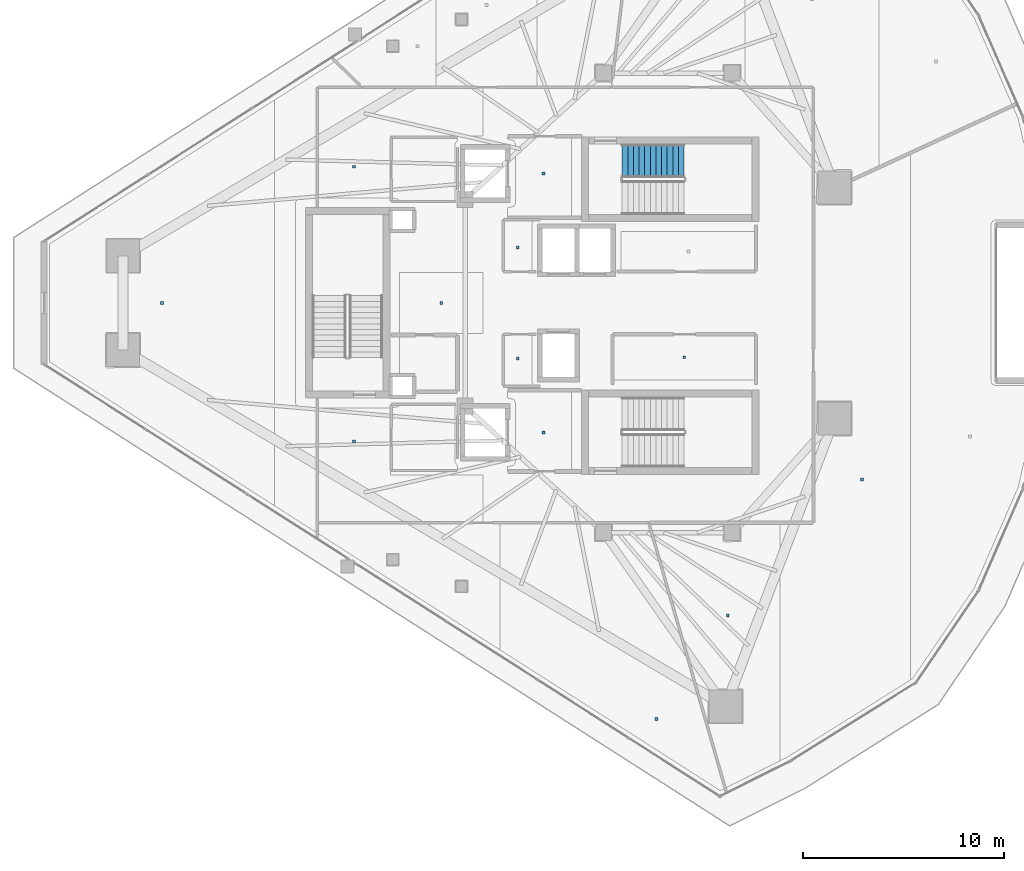
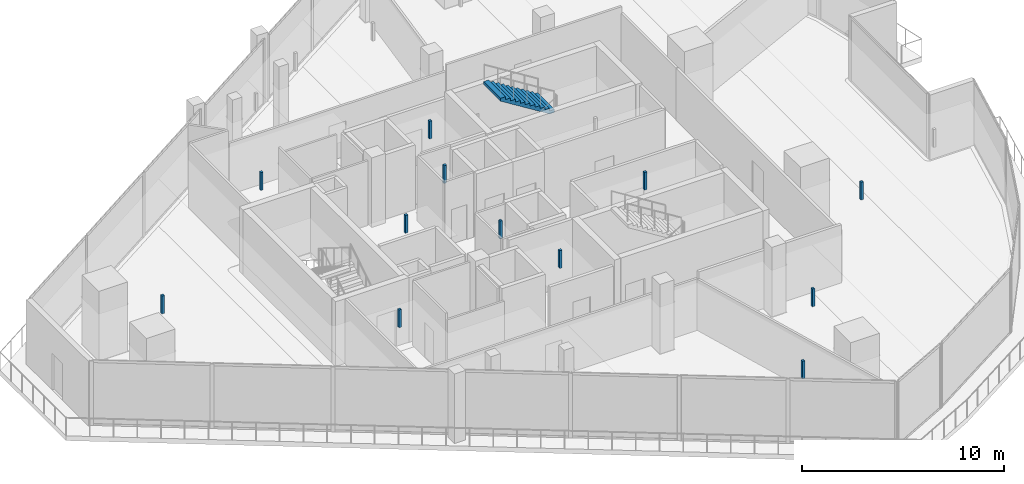
# One storey, part 24 of 31: 12 discrete accessories, 1 stair flight, 1 element without a shape of its own.
"""IFC4 building model written with IfcOpenShell, lengths in metres."""

from ifc_helpers import new_model, si_unit, direction, frame, origin, origin_2d, place, context, subcontext, project, spatial, polyline, rectangle, outline, extrude, material, layer, layer_set, type_object, element, aggregate, save


model = new_model("IFC4")

# Units and contexts
model_context = context("Model", 3, precision=1e-05, world=origin(), true_north=direction((0.0, 1.0)))
body_context = subcontext(model_context, "Body", "Model", "MODEL_VIEW")
ifc_project = project(units=[si_unit("LENGTHUNIT", "METRE"), si_unit("AREAUNIT", "SQUARE_METRE"), si_unit("VOLUMEUNIT", "CUBIC_METRE"), si_unit("PLANEANGLEUNIT", "RADIAN"), si_unit("MASSUNIT", "GRAM", prefix="KILO")], contexts=[model_context])

# Site, building, storey
site_placement = place(None, origin())
site = spatial("IfcSite", under=ifc_project, at=site_placement, CompositionType="ELEMENT")
building_placement = place(site_placement, origin())
building = spatial("IfcBuilding", under=site, at=building_placement, Name="Qorvath Tower", CompositionType="ELEMENT")
storey_placement = place(building_placement, frame((0.0, 0.0, 264.0)))
storey = spatial("IfcBuildingStorey", under=building, at=storey_placement, Name="L61", CompositionType="ELEMENT", Elevation=264.0)

# Stair, stair flight
ifc_material_1 = material(Name="Concrete C50/60", Category="concrete")
stair_type = type_object("IfcStairType", Name="ST-H420", PredefinedType="HALF_TURN_STAIR", material=ifc_material_1)
stair_placement = place(storey_placement, origin())
stair = element("IfcStair", 1, at=stair_placement, inside=storey, type_object=stair_type, Name="L61 Tower Exit Stair 1", PredefinedType="HALF_TURN_STAIR")
ifc_material_2 = material(Name="Concrete C50/60", Category="concrete")
ifc_layer = layer(ifc_material_2, 0.14990234375)
ifc_layer_set = layer_set([ifc_layer], Name="SF-H420")
stair_flight_type = type_object("IfcStairFlightType", Name="SF-H420", PredefinedType="STRAIGHT", material=ifc_layer_set)
stair_flight_placement = place(storey_placement, frame((-19.590087890625, 7.070068359375, 2.10009765625), z_axis=(0.0, 0.0, 1.0), x_axis=(-1.0, 0.0, 0.0)))
stair_flight = element("IfcStairFlight", 2, at=stair_flight_placement, type_object=stair_flight_type, Name="TS1 flight 2", NumberOfRisers=12, NumberOfTreads=11, PredefinedType="STRAIGHT", RiserHeight=0.175, TreadLength=0.28, context=body_context, shape_type="SweptSolid", body=[
    extrude(outline(polyline([(0.0, 0.0), (0.0, 0.175048828125), (0.280029296875, 0.175048828125), (0.280029296875, 0.35009765625), (0.56005859375, 0.35009765625), (0.56005859375, 0.52490234375), (0.840087890625, 0.52490234375), (0.840087890625, 0.699951171875), (1.1201171875, 0.699951171875), (1.1201171875, 0.875), (1.39990234375, 0.875), (1.39990234375, 1.050048828125), (1.679931640625, 1.050048828125), (1.679931640625, 1.22509765625), (1.9599609375, 1.22509765625), (1.9599609375, 1.39990234375), (2.239990234375, 1.39990234375), (2.239990234375, 1.574951171875), (2.52001953125, 1.574951171875), (2.52001953125, 1.75), (2.800048828125, 1.75), (2.800048828125, 1.925048828125), (3.080078125, 1.925048828125), (3.080078125, 2.10009765625), (3.080078125, 1.748291015625), (0.28271484375, 0.0), (0.0, 0.0)])), frame((0.0, 0.83984375, 0.0), z_axis=(0.0, -1.0, 0.0), x_axis=(1.0, 0.0, 0.0)), (0.0, 0.0, 1.0), 1.679931640625),
])
aggregate(stair, [stair_flight])

# Discrete accessories
ifc_material_3 = material(Name="Galvanised steel bracket", Category="steel")
discrete_accessory_type = type_object("IfcDiscreteAccessoryType", Name="DA-BRACKET", PredefinedType="BRACKET", material=ifc_material_3)
for number, where, z_axis, x_axis, name in (
    (3, (-26.590087890625, 6.449951171875, 2.85986328125), (0.0, 0.0, 1.0), (1.0, 0.0, 0.0), "Acoustic Ceiling Suspension Hanger T1-L61-001"),
    (4, (-26.590087890625, -6.449951171875, 2.85986328125), (0.0, 0.0, 1.0), (1.0, 0.0, 0.0), "Acoustic Ceiling Suspension Hanger T1-L61-002"),
    (5, (-19.574951171875, -2.70751953125, 2.85986328125), (0.0, 0.0, 1.0), (1.0, 0.0, 0.0), "Acoustic Ceiling Suspension Hanger T1-L61-004"),
    (6, (-27.87744140625, 2.762451171875, 2.85986328125), (0.0, 0.0, 1.0), (1.0, 0.0, 0.0), "Acoustic Ceiling Suspension Hanger T1-L61-005"),
    (7, (-27.87744140625, -2.762451171875, 2.85986328125), (0.0, 0.0, 1.0), (1.0, 0.0, 0.0), "Acoustic Ceiling Suspension Hanger T1-L61-006"),
    (8, (-36.04150390625, -6.908447265625, 2.85986328125), (0.0, 0.0, 1.0), (1.0, 0.0, 0.0), "Acoustic Ceiling Suspension Hanger T1-L61-010"),
    (9, (-36.040283203125, 6.782470703125, 2.85986328125), (0.0, 0.0, 1.0), (1.0, 0.0, 0.0), "Acoustic Ceiling Suspension Hanger T1-L61-011"),
    (10, (-31.6875, 0.0, 2.85986328125), (0.0, 0.0, 1.0), (1.0, 0.0, 0.0), "Acoustic Ceiling Suspension Hanger T1-L61-012"),
    (11, (-45.60400390625, 0.0, 2.85986328125), (0.0, 0.0, 1.0), (1.0, 0.0, 0.0), "Acoustic Ceiling Suspension Hanger T1-L61-013"),
    (12, (-20.954833984375, -20.730224609375, 2.85986328125), (0.0, 0.0, 1.0), (1.0, 0.0, 0.0), "Acoustic Ceiling Suspension Hanger T1-L61-015"),
    (13, (-17.409423828125, -15.572021484375, 2.85986328125), (0.0, 0.0, 1.0), (1.0, 0.0, 0.0), "Acoustic Ceiling Suspension Hanger T1-L61-016"),
    (14, (-10.7197265625, -8.80224609375, 2.85986328125), (0.0, 0.0, 1.0), (1.0, 0.0, 0.0), "Acoustic Ceiling Suspension Hanger T1-L61-017"),
):
    element("IfcDiscreteAccessory", number, at=place(storey_placement, frame(where, z_axis=z_axis, x_axis=x_axis)), inside=storey, type_object=discrete_accessory_type, Name=name, PredefinedType="NOTDEFINED", context=body_context, shape_type="SweptSolid", body=[
        extrude(rectangle(XDim=0.139892578125, YDim=0.139892578125, at=origin_2d()), origin(), (0.0, 0.0, 1.0), 1.079833984375),
    ])

save(model, "model.ifc")
